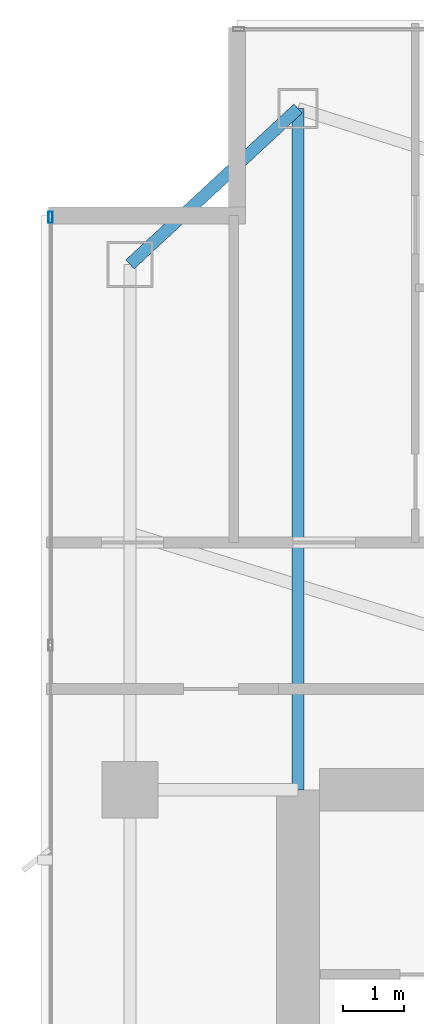
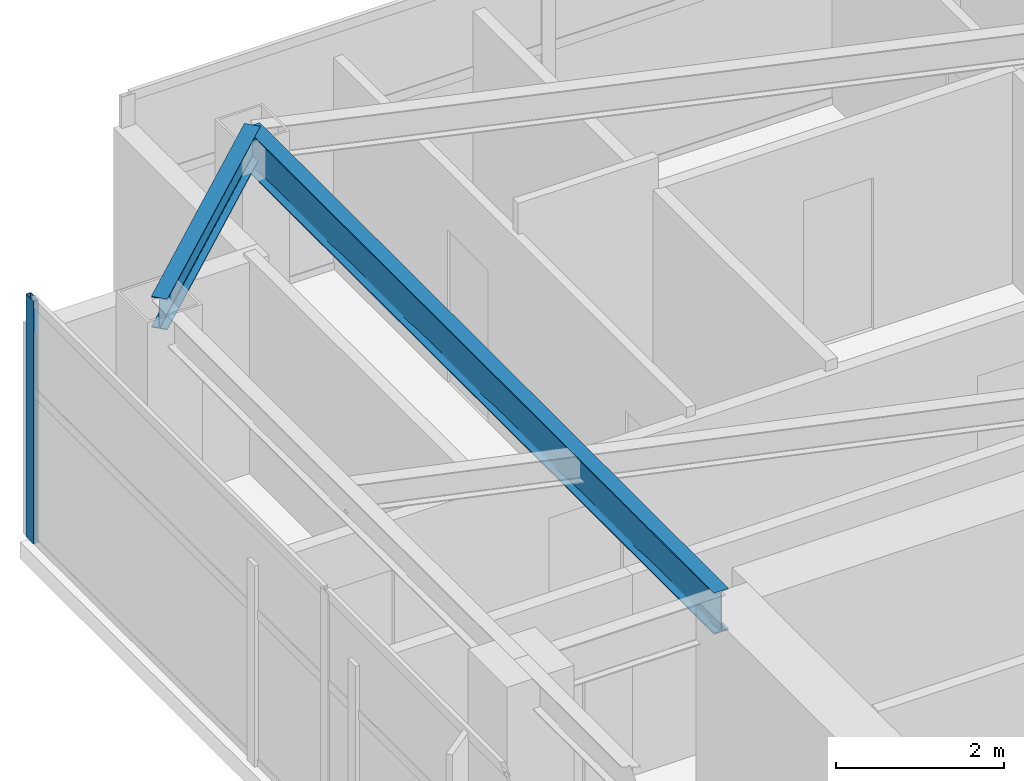
# One storey, part 16 of 27: 2 beams, 1 member, 1 element without a shape of its own.
"""IFC4 building model written with IfcOpenShell, lengths in metres."""

from ifc_helpers import new_model, si_unit, direction, frame, origin, origin_2d, place, context, subcontext, project, spatial, hollow_rectangle, i_section, extrude, material, layer, layer_set, material_profile, profile_set, type_object, element, aggregate, save


model = new_model("IFC4")

# Units and contexts
model_context = context("Model", 3, precision=1e-05, world=origin(), true_north=direction((0.0, 1.0)))
body_context = subcontext(model_context, "Body", "Model", "MODEL_VIEW")
ifc_project = project(units=[si_unit("LENGTHUNIT", "METRE"), si_unit("AREAUNIT", "SQUARE_METRE"), si_unit("VOLUMEUNIT", "CUBIC_METRE"), si_unit("PLANEANGLEUNIT", "RADIAN"), si_unit("MASSUNIT", "GRAM", prefix="KILO")], contexts=[model_context])

# Site, building, storey
site_placement = place(None, origin())
site = spatial("IfcSite", under=ifc_project, at=site_placement, CompositionType="ELEMENT")
building_placement = place(site_placement, origin())
building = spatial("IfcBuilding", under=site, at=building_placement, Name="Calvorn Quay Hotel", CompositionType="ELEMENT")
storey_placement = place(building_placement, frame((0.0, 0.0, 230.699951171875)))
storey = spatial("IfcBuildingStorey", under=building, at=storey_placement, Name="L57", CompositionType="ELEMENT", Elevation=230.699951171875)

# Beams
ifc_material_1 = material(Name="Steel Q355B", Category="steel")
ifc_material_profile_1 = material_profile(ifc_material_1, i_section(OverallWidth=0.199951171875, OverallDepth=0.60009765625, WebThickness=0.010986328125, FlangeThickness=0.01708984375, FilletRadius=0.01806640625, at=origin_2d()), Name="HN600x200x11x17")
ifc_profile_set_1 = profile_set([ifc_material_profile_1], Name="Steel Q355B")
beam_type_1 = type_object("IfcBeamType", Name="BM-GIRD-TYP", PredefinedType="BEAM", material=ifc_profile_set_1)
beam_1_placement = place(storey_placement, frame((4.199951171875, 49.550048828125, 3.219970703125), z_axis=(0.0, -1.0, 0.0), x_axis=(1.0, 0.0, 0.0)))
element("IfcBeam", 1, at=beam_1_placement, inside=storey, type_object=beam_type_1, Name="Beam BG-L57-W5", PredefinedType="BEAM", context=body_context, shape_type="SweptSolid", body=[
    extrude(i_section(OverallWidth=0.199951171875, OverallDepth=0.60009765625, WebThickness=0.010986328125, FlangeThickness=0.01708984375, FilletRadius=0.01806640625, at=origin_2d()), origin(), (0.0, 0.0, 1.0), 11.150146484375),
])
ifc_material_2 = material(Name="Steel Q355B", Category="steel")
ifc_material_profile_2 = material_profile(ifc_material_2, i_section(OverallWidth=0.199951171875, OverallDepth=0.449951171875, WebThickness=0.009033203125, FlangeThickness=0.013916015625, FilletRadius=0.01611328125, at=origin_2d()), Name="HN450x200x9x14")
ifc_profile_set_2 = profile_set([ifc_material_profile_2], Name="Steel Q355B")
beam_type_2 = type_object("IfcBeamType", Name="BM-SPANDREL-Z3", PredefinedType="SPANDREL", material=ifc_profile_set_2)
beam_2_placement = place(storey_placement, frame((1.449951171875, 47.0, 3.295166015625), z_axis=(0.733261665538, 0.679946563969, 0.0), x_axis=(-0.679946563969, 0.733261665538, 0.0)))
element("IfcBeam", 2, at=beam_2_placement, inside=storey, type_object=beam_type_2, Name="Beam BSP-L57-W5", PredefinedType="SPANDREL", context=body_context, shape_type="SweptSolid", body=[
    extrude(i_section(OverallWidth=0.199951171875, OverallDepth=0.449951171875, WebThickness=0.009033203125, FlangeThickness=0.013916015625, FilletRadius=0.01611328125, at=origin_2d()), origin(), (0.0, 0.0, 1.0), 3.75048828125),
])

# Curtain wall, member
ifc_material_3 = material(Name="Champagne Bronze Anodised Aluminium and Low-E Glass", Category="aluminium")
ifc_layer = layer(ifc_material_3, 0.219970703125)
ifc_layer_set = layer_set([ifc_layer], Name="CW-SYS-Z3")
curtain_wall_type = type_object("IfcCurtainWallType", Name="CW-SYS-Z3", PredefinedType="NOTDEFINED", material=ifc_layer_set)
curtain_wall_placement = place(storey_placement, origin())
curtain_wall = element("IfcCurtainWall", 3, at=curtain_wall_placement, inside=storey, type_object=curtain_wall_type, Name="Tower West Curtain Wall (L57)", PredefinedType="NOTDEFINED")
ifc_material_4 = material(Name="Champagne Bronze Anodised Aluminium 6063-T6", Category="aluminium")
ifc_material_profile_3 = material_profile(ifc_material_4, hollow_rectangle(XDim=0.068115234375, YDim=0.18505859375, WallThickness=0.00390625, at=origin_2d()), Name="ALU-M185x68x4")
ifc_profile_set_3 = profile_set([ifc_material_profile_3], Name="Champagne Bronze Anodised Aluminium 6063-T6")
member_type = type_object("IfcMemberType", Name="CW-SYS-Z3-MUL", PredefinedType="MULLION", material=ifc_profile_set_3)
member_placement = place(storey_placement, frame((0.14990234375, 47.77001953125, 0.0), z_axis=(0.0, 0.0, 1.0), x_axis=(-1.0, 0.0, 0.0)))
member = element("IfcMember", 4, at=member_placement, type_object=member_type, Name="CW-L57-W mullion 7", PredefinedType="MULLION", context=body_context, shape_type="SweptSolid", body=[
    extrude(hollow_rectangle(XDim=0.068115234375, YDim=0.18505859375, WallThickness=0.00390625, at=origin_2d()), origin(), (0.0, 0.0, 1.0), 3.52001953125),
])
aggregate(curtain_wall, [member])

save(model, "model.ifc")
